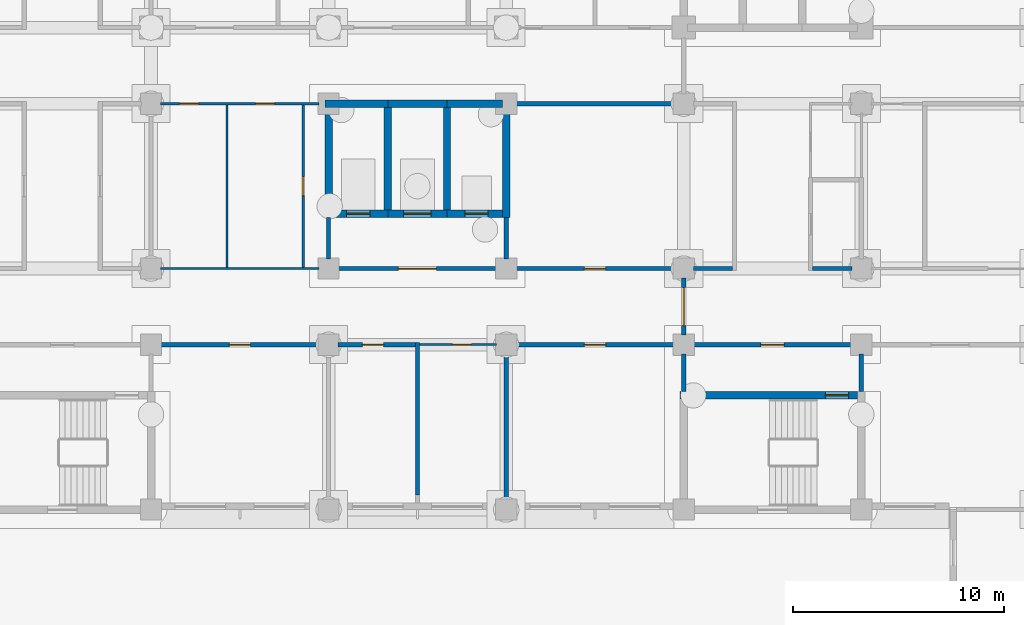
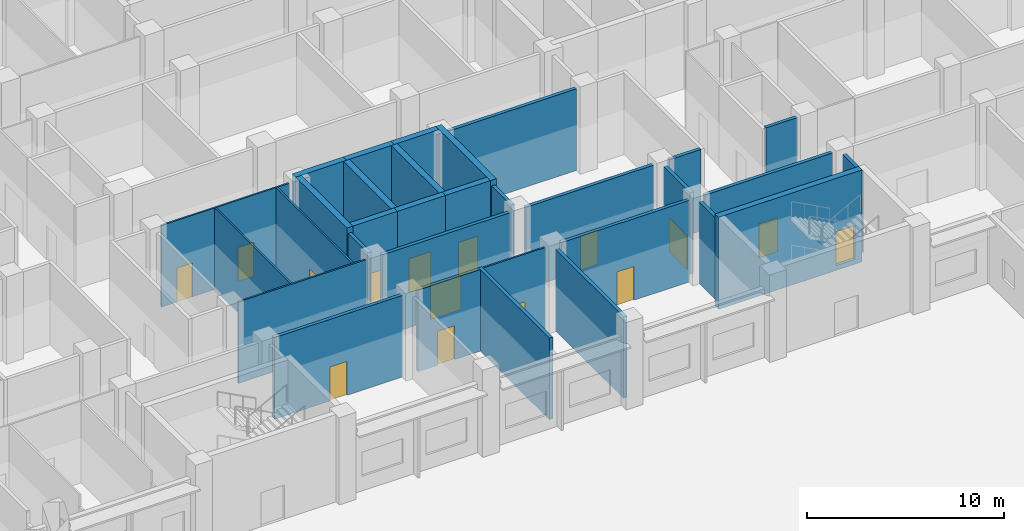
# One storey, part 85 of 146: 32 walls, 15 doors, 15 openings.
"""IFC4 building model written with IfcOpenShell, lengths in metres."""

from ifc_helpers import new_model, si_unit, direction, frame, frame_2d, origin, place, context, subcontext, project, spatial, rectangle, extrude, material, layer, layer_set, type_object, element, fill, save


model = new_model("IFC4")

# Units and contexts
model_context = context("Model", 3, precision=1e-05, world=origin(), true_north=direction((0.0, 1.0)))
body_context = subcontext(model_context, "Body", "Model", "MODEL_VIEW")
ifc_project = project(units=[si_unit("LENGTHUNIT", "METRE"), si_unit("AREAUNIT", "SQUARE_METRE"), si_unit("VOLUMEUNIT", "CUBIC_METRE"), si_unit("PLANEANGLEUNIT", "RADIAN"), si_unit("MASSUNIT", "GRAM", prefix="KILO")], contexts=[model_context])

# Site, building, storey
site_placement = place(None, origin())
site = spatial("IfcSite", under=ifc_project, at=site_placement, CompositionType="ELEMENT")
building_placement = place(site_placement, origin())
building = spatial("IfcBuilding", under=site, at=building_placement, Name="Bougainvillea Quay General Hospital", CompositionType="ELEMENT")
storey_placement = place(building_placement, origin())
storey = spatial("IfcBuildingStorey", under=building, at=storey_placement, Name="L00", CompositionType="ELEMENT", Elevation=0.0)

# Wall, openings, doors
ifc_material_1 = material(Name="Gypsum board partition on steel studs", Category="steel")
ifc_layer_1 = layer(ifc_material_1, 0.10009765625)
ifc_layer_set_1 = layer_set([ifc_layer_1], Name="Gypsum board partition on steel studs")
wall_type_1 = type_object("IfcWallType", Name="Partition 100 Gypsum board partition", PredefinedType="PARTITIONING", material=ifc_layer_set_1)
wall_1_placement = place(storey_placement, frame((133.949951171875, 136.800048828125, 0.0), z_axis=(0.0, 0.0, 1.0), x_axis=(-1.0, 0.0, 0.0)))
wall_1 = element("IfcWall", 1, at=wall_1_placement, inside=storey, type_object=wall_type_1, Name="Partition 100 mm", PredefinedType="PARTITIONING", context=body_context, shape_type="SweptSolid", body=[
    extrude(rectangle(XDim=7.5, YDim=0.10009765625, at=frame_2d((3.75, 0.0))), origin(), (0.0, 0.0, 1.0), 5.050048828125),
])
opening_1_placement = place(wall_1_placement, frame((5.699951171875, 0.0, 0.0)))
opening_1 = element("IfcOpeningElement", 2, at=opening_1_placement, cuts=wall_1, Name="Opening L00.156", PredefinedType="OPENING", context=body_context, shape_type="SweptSolid", body=[
    extrude(rectangle(XDim=0.89990234375, YDim=2.10009765625, at=frame_2d((0.449951171875, 1.050048828125))), frame((0.0, 0.06005859375, 0.0), z_axis=(0.0, -1.0, 0.0), x_axis=(1.0, 0.0, 0.0)), (0.0, 0.0, 1.0), 0.1201171875),
])
opening_2_placement = place(wall_1_placement, frame((2.10009765625, 0.0, 0.0)))
opening_2 = element("IfcOpeningElement", 3, at=opening_2_placement, cuts=wall_1, Name="Opening L00.157", PredefinedType="OPENING", context=body_context, shape_type="SweptSolid", body=[
    extrude(rectangle(XDim=0.89990234375, YDim=2.10009765625, at=frame_2d((0.449951171875, 1.050048828125))), frame((0.0, 0.06005859375, 0.0), z_axis=(0.0, -1.0, 0.0), x_axis=(1.0, 0.0, 0.0)), (0.0, 0.0, 1.0), 0.1201171875),
])
ifc_material_2 = material(Name="Solid-core timber door leaf in steel frame", Category="steel")
door_type_1 = type_object("IfcDoorType", Name="Single leaf door 900x2100", OperationType="NOTDEFINED", PredefinedType="DOOR", material=ifc_material_2)
door_1_placement = place(opening_1_placement, origin())
door_1 = element("IfcDoor", 4, at=door_1_placement, inside=storey, type_object=door_type_1, Name="DT07 L00.156", OperationType="SINGLE_SWING_RIGHT", OverallHeight=2.10009765625, OverallWidth=0.89990234375, PredefinedType="DOOR", context=body_context, shape_type="SweptSolid", body=[
    extrude(rectangle(XDim=0.89990234375, YDim=2.10009765625, at=frame_2d((0.449951171875, 1.050048828125))), frame((0.0, 0.02490234375, 0.0), z_axis=(0.0, -1.0, 0.0), x_axis=(1.0, 0.0, 0.0)), (0.0, 0.0, 1.0), 0.050048828125),
])
fill(opening_1, door_1)
door_2_placement = place(opening_2_placement, origin())
door_2 = element("IfcDoor", 5, at=door_2_placement, inside=storey, type_object=door_type_1, Name="DT07 L00.157", OperationType="SINGLE_SWING_LEFT", OverallHeight=2.10009765625, OverallWidth=0.89990234375, PredefinedType="DOOR", context=body_context, shape_type="SweptSolid", body=[
    extrude(rectangle(XDim=0.89990234375, YDim=2.10009765625, at=frame_2d((0.449951171875, 1.050048828125))), frame((0.0, 0.02490234375, 0.0), z_axis=(0.0, -1.0, 0.0), x_axis=(1.0, 0.0, 0.0)), (0.0, 0.0, 1.0), 0.050048828125),
])
fill(opening_2, door_2)

# Walls
wall_2_placement = place(storey_placement, frame((133.949951171875, 129.0, 0.0), z_axis=(0.0, 0.0, 1.0), x_axis=(-1.0, 0.0, 0.0)))
element("IfcWall", 6, at=wall_2_placement, inside=storey, type_object=wall_type_1, Name="Partition 100 mm", PredefinedType="PARTITIONING", context=body_context, shape_type="SweptSolid", body=[
    extrude(rectangle(XDim=7.5, YDim=0.10009765625, at=frame_2d((3.75, 0.0))), origin(), (0.0, 0.0, 1.0), 5.050048828125),
])
wall_3_placement = place(storey_placement, frame((129.60009765625, 129.050048828125, 0.0), z_axis=(0.0, 0.0, 1.0), x_axis=(0.0, 1.0, 0.0)))
element("IfcWall", 7, at=wall_3_placement, inside=storey, type_object=wall_type_1, Name="Partition 100 mm", PredefinedType="PARTITIONING", context=body_context, shape_type="SweptSolid", body=[
    extrude(rectangle(XDim=7.699951171875, YDim=0.10009765625, at=frame_2d((3.85009765625, 0.0))), origin(), (0.0, 0.0, 1.0), 5.050048828125),
])

# Wall, opening, door
wall_4_placement = place(storey_placement, frame((133.199951171875, 129.050048828125, 0.0), z_axis=(0.0, 0.0, 1.0), x_axis=(0.0, 1.0, 0.0)))
wall_4 = element("IfcWall", 8, at=wall_4_placement, inside=storey, type_object=wall_type_1, Name="Partition 100 mm", PredefinedType="PARTITIONING", context=body_context, shape_type="SweptSolid", body=[
    extrude(rectangle(XDim=7.699951171875, YDim=0.10009765625, at=frame_2d((3.85009765625, 0.0))), origin(), (0.0, 0.0, 1.0), 5.050048828125),
])
opening_3_placement = place(wall_4_placement, frame((3.39990234375, 0.0, 0.0)))
opening_3 = element("IfcOpeningElement", 9, at=opening_3_placement, cuts=wall_4, Name="Opening L00.215", PredefinedType="OPENING", context=body_context, shape_type="SweptSolid", body=[
    extrude(rectangle(XDim=0.89990234375, YDim=2.10009765625, at=frame_2d((0.449951171875, 1.050048828125))), frame((0.0, 0.06005859375, 0.0), z_axis=(0.0, -1.0, 0.0), x_axis=(1.0, 0.0, 0.0)), (0.0, 0.0, 1.0), 0.1201171875),
])
door_3_placement = place(opening_3_placement, frame((0.89990234375, 0.0, 0.0), z_axis=(0.0, 0.0, 1.0), x_axis=(-1.0, 0.0, 0.0)))
door_3 = element("IfcDoor", 10, at=door_3_placement, inside=storey, type_object=door_type_1, Name="DT07 L00.215", OperationType="SINGLE_SWING_RIGHT", OverallHeight=2.10009765625, OverallWidth=0.89990234375, PredefinedType="DOOR", context=body_context, shape_type="SweptSolid", body=[
    extrude(rectangle(XDim=0.89990234375, YDim=2.10009765625, at=frame_2d((0.449951171875, 1.050048828125))), frame((0.0, 0.02490234375, 0.0), z_axis=(0.0, -1.0, 0.0), x_axis=(1.0, 0.0, 0.0)), (0.0, 0.0, 1.0), 0.050048828125),
])
fill(opening_3, door_3)

wall_5_placement = place(storey_placement, frame((138.699951171875, 125.39990234375, 0.0), z_axis=(0.0, 0.0, 1.0), x_axis=(1.0, 0.0, 0.0)))
wall_5 = element("IfcWall", 11, at=wall_5_placement, inside=storey, type_object=wall_type_1, Name="Partition 100 mm", PredefinedType="PARTITIONING", context=body_context, shape_type="SweptSolid", body=[
    extrude(rectangle(XDim=3.650146484375, YDim=0.10009765625, at=frame_2d((1.8251953125, 0.0))), origin(), (0.0, 0.0, 1.0), 5.050048828125),
])
opening_4_placement = place(wall_5_placement, frame((1.550048828125, 0.0, 0.0)))
opening_4 = element("IfcOpeningElement", 12, at=opening_4_placement, cuts=wall_5, Name="Opening L00.154", PredefinedType="OPENING", context=body_context, shape_type="SweptSolid", body=[
    extrude(rectangle(XDim=0.89990234375, YDim=2.10009765625, at=frame_2d((0.449951171875, 1.050048828125))), frame((0.0, 0.06005859375, 0.0), z_axis=(0.0, -1.0, 0.0), x_axis=(1.0, 0.0, 0.0)), (0.0, 0.0, 1.0), 0.1201171875),
])
door_4_placement = place(opening_4_placement, frame((0.89990234375, 0.0, 0.0), z_axis=(0.0, 0.0, 1.0), x_axis=(-1.0, 0.0, 0.0)))
door_4 = element("IfcDoor", 13, at=door_4_placement, inside=storey, type_object=door_type_1, Name="DT07 L00.154", OperationType="SINGLE_SWING_LEFT", OverallHeight=2.10009765625, OverallWidth=0.89990234375, PredefinedType="DOOR", context=body_context, shape_type="SweptSolid", body=[
    extrude(rectangle(XDim=0.89990234375, YDim=2.10009765625, at=frame_2d((0.449951171875, 1.050048828125))), frame((0.0, 0.02490234375, 0.0), z_axis=(0.0, -1.0, 0.0), x_axis=(1.0, 0.0, 0.0)), (0.0, 0.0, 1.0), 0.050048828125),
])
fill(opening_4, door_4)

ifc_material_3 = material(Name="Autoclaved aerated block wall, plastered")
ifc_layer_2 = layer(ifc_material_3, 0.199951171875)
ifc_layer_set_2 = layer_set([ifc_layer_2], Name="Autoclaved aerated block wall, plastered")
wall_type_2 = type_object("IfcWallType", Name="Partition 200 Autoclaved aerated block wall", PredefinedType="SOLIDWALL", material=ifc_layer_set_2)
wall_6_placement = place(storey_placement, frame((126.449951171875, 125.39990234375, 0.0), z_axis=(0.0, 0.0, 1.0), x_axis=(1.0, 0.0, 0.0)))
wall_6 = element("IfcWall", 14, at=wall_6_placement, inside=storey, type_object=wall_type_2, Name="Partition 200 mm", PredefinedType="SOLIDWALL", context=body_context, shape_type="SweptSolid", body=[
    extrude(rectangle(XDim=7.5, YDim=0.199951171875, at=frame_2d((3.75, 0.0))), origin(), (0.0, 0.0, 1.0), 5.050048828125),
])
opening_5_placement = place(wall_6_placement, frame((3.25, 0.0, 0.0)))
opening_5 = element("IfcOpeningElement", 15, at=opening_5_placement, cuts=wall_6, Name="Opening L00.152", PredefinedType="OPENING", context=body_context, shape_type="SweptSolid", body=[
    extrude(rectangle(XDim=1.0, YDim=2.10009765625, at=frame_2d((0.5, 1.050048828125))), frame((0.0, 0.10986328125, 0.0), z_axis=(0.0, -1.0, 0.0), x_axis=(1.0, 0.0, 0.0)), (0.0, 0.0, 1.0), 0.219970703125),
])
door_type_2 = type_object("IfcDoorType", Name="Single leaf door 1000x2100", OperationType="NOTDEFINED", PredefinedType="DOOR", material=ifc_material_2)
door_5_placement = place(opening_5_placement, frame((1.0, 0.0, 0.0), z_axis=(0.0, 0.0, 1.0), x_axis=(-1.0, 0.0, 0.0)))
door_5 = element("IfcDoor", 16, at=door_5_placement, inside=storey, type_object=door_type_2, Name="DT06 L00.152", OperationType="SINGLE_SWING_RIGHT", OverallHeight=2.10009765625, OverallWidth=1.0, PredefinedType="DOOR", context=body_context, shape_type="SweptSolid", body=[
    extrude(rectangle(XDim=1.0, YDim=2.10009765625, at=frame_2d((0.5, 1.050048828125))), frame((0.0, 0.02490234375, 0.0), z_axis=(0.0, -1.0, 0.0), x_axis=(1.0, 0.0, 0.0)), (0.0, 0.0, 1.0), 0.050048828125),
])
fill(opening_5, door_5)

wall_7_placement = place(storey_placement, frame((143.25, 125.39990234375, 0.0), z_axis=(0.0, 0.0, 1.0), x_axis=(1.0, 0.0, 0.0)))
wall_7 = element("IfcWall", 17, at=wall_7_placement, inside=storey, type_object=wall_type_2, Name="Partition 200 mm", PredefinedType="SOLIDWALL", context=body_context, shape_type="SweptSolid", body=[
    extrude(rectangle(XDim=7.5, YDim=0.199951171875, at=frame_2d((3.75, 0.0))), origin(), (0.0, 0.0, 1.0), 5.050048828125),
])
opening_6_placement = place(wall_7_placement, frame((3.25, 0.0, 0.0)))
opening_6 = element("IfcOpeningElement", 18, at=opening_6_placement, cuts=wall_7, Name="Opening L00.155", PredefinedType="OPENING", context=body_context, shape_type="SweptSolid", body=[
    extrude(rectangle(XDim=1.0, YDim=2.10009765625, at=frame_2d((0.5, 1.050048828125))), frame((0.0, 0.10986328125, 0.0), z_axis=(0.0, -1.0, 0.0), x_axis=(1.0, 0.0, 0.0)), (0.0, 0.0, 1.0), 0.219970703125),
])
door_6_placement = place(opening_6_placement, frame((1.0, 0.0, 0.0), z_axis=(0.0, 0.0, 1.0), x_axis=(-1.0, 0.0, 0.0)))
door_6 = element("IfcDoor", 19, at=door_6_placement, inside=storey, type_object=door_type_2, Name="DT06 L00.155", OperationType="SINGLE_SWING_RIGHT", OverallHeight=2.10009765625, OverallWidth=1.0, PredefinedType="DOOR", context=body_context, shape_type="SweptSolid", body=[
    extrude(rectangle(XDim=1.0, YDim=2.10009765625, at=frame_2d((0.5, 1.050048828125))), frame((0.0, 0.02490234375, 0.0), z_axis=(0.0, -1.0, 0.0), x_axis=(1.0, 0.0, 0.0)), (0.0, 0.0, 1.0), 0.050048828125),
])
fill(opening_6, door_6)

wall_8_placement = place(storey_placement, frame((143.25, 129.0, 0.0), z_axis=(0.0, 0.0, 1.0), x_axis=(1.0, 0.0, 0.0)))
wall_8 = element("IfcWall", 20, at=wall_8_placement, inside=storey, type_object=wall_type_2, Name="Partition 200 mm", PredefinedType="SOLIDWALL", context=body_context, shape_type="SweptSolid", body=[
    extrude(rectangle(XDim=7.5, YDim=0.199951171875, at=frame_2d((3.75, 0.0))), origin(), (0.0, 0.0, 1.0), 5.050048828125),
])
opening_7_placement = place(wall_8_placement, frame((3.25, 0.0, 0.0)))
opening_7 = element("IfcOpeningElement", 21, at=opening_7_placement, cuts=wall_8, Name="Opening L00.158", PredefinedType="OPENING", context=body_context, shape_type="SweptSolid", body=[
    extrude(rectangle(XDim=1.0, YDim=2.10009765625, at=frame_2d((0.5, 1.050048828125))), frame((0.0, 0.10986328125, 0.0), z_axis=(0.0, -1.0, 0.0), x_axis=(1.0, 0.0, 0.0)), (0.0, 0.0, 1.0), 0.219970703125),
])
door_7_placement = place(opening_7_placement, origin())
door_7 = element("IfcDoor", 22, at=door_7_placement, inside=storey, type_object=door_type_2, Name="DT06 L00.158", OperationType="SINGLE_SWING_LEFT", OverallHeight=2.10009765625, OverallWidth=1.0, PredefinedType="DOOR", context=body_context, shape_type="SweptSolid", body=[
    extrude(rectangle(XDim=1.0, YDim=2.10009765625, at=frame_2d((0.5, 1.050048828125))), frame((0.0, 0.02490234375, 0.0), z_axis=(0.0, -1.0, 0.0), x_axis=(1.0, 0.0, 0.0)), (0.0, 0.0, 1.0), 0.050048828125),
])
fill(opening_7, door_7)

# Walls
wall_9_placement = place(storey_placement, frame((143.25, 136.800048828125, 0.0), z_axis=(0.0, 0.0, 1.0), x_axis=(1.0, 0.0, 0.0)))
element("IfcWall", 23, at=wall_9_placement, inside=storey, type_object=wall_type_2, Name="Partition 200 mm", PredefinedType="SOLIDWALL", context=body_context, shape_type="SweptSolid", body=[
    extrude(rectangle(XDim=7.5, YDim=0.199951171875, at=frame_2d((3.75, 0.0))), origin(), (0.0, 0.0, 1.0), 5.050048828125),
])
wall_10_placement = place(storey_placement, frame((142.800048828125, 118.050048828125, 0.0), z_axis=(0.0, 0.0, 1.0), x_axis=(0.0, 1.0, 0.0)))
element("IfcWall", 24, at=wall_10_placement, inside=storey, type_object=wall_type_2, Name="Partition 200 mm", PredefinedType="SOLIDWALL", context=body_context, shape_type="SweptSolid", body=[
    extrude(rectangle(XDim=6.89990234375, YDim=0.199951171875, at=frame_2d((3.449951171875, 0.0))), origin(), (0.0, 0.0, 1.0), 5.050048828125),
])

# Wall, opening, door
ifc_material_4 = material(Name="Fire-rated autoclaved aerated block wall, plastered")
ifc_layer_3 = layer(ifc_material_4, 0.199951171875)
ifc_layer_set_3 = layer_set([ifc_layer_3], Name="Fire-rated autoclaved aerated block wall, plastered")
wall_type_3 = type_object("IfcWallType", Name="Partition 200 Fire-rated autoclaved aerated block wall EI 120", PredefinedType="SOLIDWALL", material=ifc_layer_set_3)
wall_11_placement = place(storey_placement, frame((134.85009765625, 129.0, 0.0), z_axis=(0.0, 0.0, 1.0), x_axis=(1.0, 0.0, 0.0)))
wall_11 = element("IfcWall", 25, at=wall_11_placement, inside=storey, type_object=wall_type_3, Name="Partition 200 mm EI 120", PredefinedType="SOLIDWALL", context=body_context, shape_type="SweptSolid", body=[
    extrude(rectangle(XDim=7.5, YDim=0.199951171875, at=frame_2d((3.75, 0.0))), origin(), (0.0, 0.0, 1.0), 5.050048828125),
])
opening_8_placement = place(wall_11_placement, frame((2.85009765625, 0.0, 0.0)))
opening_8 = element("IfcOpeningElement", 26, at=opening_8_placement, cuts=wall_11, Name="Opening L00.050", PredefinedType="OPENING", context=body_context, shape_type="SweptSolid", body=[
    extrude(rectangle(XDim=1.800048828125, YDim=2.10009765625, at=frame_2d((0.89990234375, 1.050048828125))), frame((0.0, 0.10986328125, 0.0), z_axis=(0.0, -1.0, 0.0), x_axis=(1.0, 0.0, 0.0)), (0.0, 0.0, 1.0), 0.219970703125),
])
ifc_material_5 = material(Name="Steel fire door leaves in steel frame", Category="steel")
door_type_3 = type_object("IfcDoorType", Name="Steel double leaf door 1800x2100 FD60", OperationType="DOUBLE_DOOR_SINGLE_SWING", PredefinedType="DOOR", material=ifc_material_5)
door_8_placement = place(opening_8_placement, origin())
door_8 = element("IfcDoor", 27, at=door_8_placement, inside=storey, type_object=door_type_3, Name="DT05 L00.050", OperationType="DOUBLE_DOOR_SINGLE_SWING", OverallHeight=2.10009765625, OverallWidth=1.800048828125, PredefinedType="DOOR", context=body_context, shape_type="SweptSolid", body=[
    extrude(rectangle(XDim=1.800048828125, YDim=2.10009765625, at=frame_2d((0.89990234375, 1.050048828125))), frame((0.0, 0.02490234375, 0.0), z_axis=(0.0, -1.0, 0.0), x_axis=(1.0, 0.0, 0.0)), (0.0, 0.0, 1.0), 0.050048828125),
])
fill(opening_8, door_8)

# Wall
wall_12_placement = place(storey_placement, frame((151.199951171875, 123.175048828125, 0.0), z_axis=(0.0, 0.0, 1.0), x_axis=(0.0, 1.0, 0.0)))
element("IfcWall", 28, at=wall_12_placement, inside=storey, type_object=wall_type_3, Name="Partition 200 mm EI 120", PredefinedType="SOLIDWALL", context=body_context, shape_type="SweptSolid", body=[
    extrude(rectangle(XDim=1.77490234375, YDim=0.199951171875, at=frame_2d((0.887451171875, 0.0))), origin(), (0.0, 0.0, 1.0), 5.050048828125),
])

# Wall, opening, door
wall_13_placement = place(storey_placement, frame((151.199951171875, 125.85009765625, 0.0), z_axis=(0.0, 0.0, 1.0), x_axis=(0.0, 1.0, 0.0)))
wall_13 = element("IfcWall", 29, at=wall_13_placement, inside=storey, type_object=wall_type_3, Name="Partition 200 mm EI 120", PredefinedType="SOLIDWALL", context=body_context, shape_type="SweptSolid", body=[
    extrude(rectangle(XDim=2.699951171875, YDim=0.199951171875, at=frame_2d((1.35009765625, 0.0))), origin(), (0.0, 0.0, 1.0), 5.050048828125),
])
opening_9_placement = place(wall_13_placement, frame((0.449951171875, 0.0, 0.0)))
opening_9 = element("IfcOpeningElement", 30, at=opening_9_placement, cuts=wall_13, Name="Opening L00.017", PredefinedType="OPENING", context=body_context, shape_type="SweptSolid", body=[
    extrude(rectangle(XDim=1.800048828125, YDim=2.10009765625, at=frame_2d((0.89990234375, 1.050048828125))), frame((0.0, 0.10986328125, 0.0), z_axis=(0.0, -1.0, 0.0), x_axis=(1.0, 0.0, 0.0)), (0.0, 0.0, 1.0), 0.219970703125),
])
door_type_4 = type_object("IfcDoorType", Name="Steel double leaf door 1800x2100 FD90", OperationType="DOUBLE_DOOR_SINGLE_SWING", PredefinedType="DOOR", material=ifc_material_5)
door_9_placement = place(opening_9_placement, origin())
door_9 = element("IfcDoor", 31, at=door_9_placement, inside=storey, type_object=door_type_4, Name="DT03 L00.017", OperationType="DOUBLE_DOOR_SINGLE_SWING", OverallHeight=2.10009765625, OverallWidth=1.800048828125, PredefinedType="DOOR", context=body_context, shape_type="SweptSolid", body=[
    extrude(rectangle(XDim=1.800048828125, YDim=2.10009765625, at=frame_2d((0.89990234375, 1.050048828125))), frame((0.0, 0.02490234375, 0.0), z_axis=(0.0, -1.0, 0.0), x_axis=(1.0, 0.0, 0.0)), (0.0, 0.0, 1.0), 0.050048828125),
])
fill(opening_9, door_9)

wall_14_placement = place(storey_placement, frame((151.64990234375, 125.39990234375, 0.0), z_axis=(0.0, 0.0, 1.0), x_axis=(1.0, 0.0, 0.0)))
wall_14 = element("IfcWall", 32, at=wall_14_placement, inside=storey, type_object=wall_type_3, Name="Partition 200 mm EI 120", PredefinedType="SOLIDWALL", context=body_context, shape_type="SweptSolid", body=[
    extrude(rectangle(XDim=7.5, YDim=0.199951171875, at=frame_2d((3.75, 0.0))), origin(), (0.0, 0.0, 1.0), 5.050048828125),
])
opening_10_placement = place(wall_14_placement, frame((3.199951171875, 0.0, 0.0)))
opening_10 = element("IfcOpeningElement", 33, at=opening_10_placement, cuts=wall_14, Name="Opening L00.042", PredefinedType="OPENING", context=body_context, shape_type="SweptSolid", body=[
    extrude(rectangle(XDim=1.10009765625, YDim=2.10009765625, at=frame_2d((0.550048828125, 1.050048828125))), frame((0.0, 0.10986328125, 0.0), z_axis=(0.0, -1.0, 0.0), x_axis=(1.0, 0.0, 0.0)), (0.0, 0.0, 1.0), 0.219970703125),
])
ifc_material_6 = material(Name="Steel fire door leaf in steel frame", Category="steel")
door_type_5 = type_object("IfcDoorType", Name="Steel single leaf door 1100x2100 FD60", OperationType="NOTDEFINED", PredefinedType="DOOR", material=ifc_material_6)
door_10_placement = place(opening_10_placement, frame((1.10009765625, 0.0, 0.0), z_axis=(0.0, 0.0, 1.0), x_axis=(-1.0, 0.0, 0.0)))
door_10 = element("IfcDoor", 34, at=door_10_placement, inside=storey, type_object=door_type_5, Name="DT04 L00.042", OperationType="SINGLE_SWING_LEFT", OverallHeight=2.10009765625, OverallWidth=1.10009765625, PredefinedType="DOOR", context=body_context, shape_type="SweptSolid", body=[
    extrude(rectangle(XDim=1.10009765625, YDim=2.10009765625, at=frame_2d((0.550048828125, 1.050048828125))), frame((0.0, 0.02490234375, 0.0), z_axis=(0.0, -1.0, 0.0), x_axis=(1.0, 0.0, 0.0)), (0.0, 0.0, 1.0), 0.050048828125),
])
fill(opening_10, door_10)

# Wall
wall_15_placement = place(storey_placement, frame((138.60009765625, 118.300048828125, 0.0), z_axis=(0.0, 0.0, 1.0), x_axis=(0.0, 1.0, 0.0)))
element("IfcWall", 35, at=wall_15_placement, inside=storey, type_object=wall_type_3, Name="Partition 200 mm EI 120", PredefinedType="SOLIDWALL", context=body_context, shape_type="SweptSolid", body=[
    extrude(rectangle(XDim=7.199951171875, YDim=0.199951171875, at=frame_2d((3.60009765625, 0.0))), origin(), (0.0, 0.0, 1.0), 5.050048828125),
])

# Wall, opening, door
wall_16_placement = place(storey_placement, frame((134.85009765625, 125.39990234375, 0.0), z_axis=(0.0, 0.0, 1.0), x_axis=(1.0, 0.0, 0.0)))
wall_16 = element("IfcWall", 36, at=wall_16_placement, inside=storey, type_object=wall_type_3, Name="Partition 200 mm EI 120", PredefinedType="SOLIDWALL", context=body_context, shape_type="SweptSolid", body=[
    extrude(rectangle(XDim=3.64990234375, YDim=0.199951171875, at=frame_2d((1.824951171875, 0.0))), origin(), (0.0, 0.0, 1.0), 5.050048828125),
])
opening_11_placement = place(wall_16_placement, frame((1.14990234375, 0.0, 0.0)))
opening_11 = element("IfcOpeningElement", 37, at=opening_11_placement, cuts=wall_16, Name="Opening L00.153", PredefinedType="OPENING", context=body_context, shape_type="SweptSolid", body=[
    extrude(rectangle(XDim=1.0, YDim=2.10009765625, at=frame_2d((0.5, 1.050048828125))), frame((0.0, 0.10986328125, 0.0), z_axis=(0.0, -1.0, 0.0), x_axis=(1.0, 0.0, 0.0)), (0.0, 0.0, 1.0), 0.219970703125),
])
door_type_6 = type_object("IfcDoorType", Name="Steel single leaf door 1000x2100 FD90", OperationType="NOTDEFINED", PredefinedType="DOOR", material=ifc_material_6)
door_11_placement = place(opening_11_placement, frame((1.0, 0.0, 0.0), z_axis=(0.0, 0.0, 1.0), x_axis=(-1.0, 0.0, 0.0)))
door_11 = element("IfcDoor", 38, at=door_11_placement, inside=storey, type_object=door_type_6, Name="DT11 L00.153", OperationType="SINGLE_SWING_RIGHT", OverallHeight=2.10009765625, OverallWidth=1.0, PredefinedType="DOOR", context=body_context, shape_type="SweptSolid", body=[
    extrude(rectangle(XDim=1.0, YDim=2.10009765625, at=frame_2d((0.5, 1.050048828125))), frame((0.0, 0.02490234375, 0.0), z_axis=(0.0, -1.0, 0.0), x_axis=(1.0, 0.0, 0.0)), (0.0, 0.0, 1.0), 0.050048828125),
])
fill(opening_11, door_11)

# Walls
for number, where, z_axis, x_axis, name in (
    (39, (134.39990234375, 129.449951171875, 0.0), (0.0, 0.0, 1.0), (0.0, 1.0, 0.0), "Partition 200 mm EI 120"),
    (40, (142.800048828125, 129.449951171875, 0.0), (0.0, 0.0, 1.0), (0.0, 1.0, 0.0), "Partition 200 mm EI 120"),
):
    element("IfcWall", number, at=place(storey_placement, frame(where, z_axis=z_axis, x_axis=x_axis)), inside=storey, type_object=wall_type_3, Name=name, PredefinedType="SOLIDWALL", context=body_context, shape_type="SweptSolid", body=[
        extrude(rectangle(XDim=1.97509765625, YDim=0.199951171875, at=frame_2d((0.987548828125, 0.0))), origin(), (0.0, 0.0, 1.0), 5.050048828125),
    ])
wall_17_placement = place(storey_placement, frame((151.64990234375, 129.0, 0.0), z_axis=(0.0, 0.0, 1.0), x_axis=(1.0, 0.0, 0.0)))
element("IfcWall", 41, at=wall_17_placement, inside=storey, type_object=wall_type_3, Name="Partition 200 mm EI 120", PredefinedType="SOLIDWALL", context=body_context, shape_type="SweptSolid", body=[
    extrude(rectangle(XDim=1.85009765625, YDim=0.199951171875, at=frame_2d((0.925048828125, 0.0))), origin(), (0.0, 0.0, 1.0), 5.050048828125),
])
wall_18_placement = place(storey_placement, frame((157.300048828125, 129.0, 0.0), z_axis=(0.0, 0.0, 1.0), x_axis=(1.0, 0.0, 0.0)))
element("IfcWall", 42, at=wall_18_placement, inside=storey, type_object=wall_type_3, Name="Partition 200 mm EI 120", PredefinedType="SOLIDWALL", context=body_context, shape_type="SweptSolid", body=[
    extrude(rectangle(XDim=1.849853515625, YDim=0.199951171875, at=frame_2d((0.9248046875, 0.0))), origin(), (0.0, 0.0, 1.0), 5.050048828125),
])
wall_19_placement = place(storey_placement, frame((159.60009765625, 123.175048828125, 0.0), z_axis=(0.0, 0.0, 1.0), x_axis=(0.0, 1.0, 0.0)))
element("IfcWall", 43, at=wall_19_placement, inside=storey, type_object=wall_type_3, Name="Partition 200 mm EI 120", PredefinedType="SOLIDWALL", context=body_context, shape_type="SweptSolid", body=[
    extrude(rectangle(XDim=1.77490234375, YDim=0.199951171875, at=frame_2d((0.887451171875, 0.0))), origin(), (0.0, 0.0, 1.0), 5.050048828125),
])
ifc_material_7 = material(Name="Concrete C40", Category="concrete")
ifc_layer_4 = layer(ifc_material_7, 0.35009765625)
ifc_layer_set_4 = layer_set([ifc_layer_4], Name="Concrete C40")
wall_type_4 = type_object("IfcWallType", Name="RC SHEAR WALL 350 C40", PredefinedType="SHEAR", material=ifc_layer_set_4)
wall_20_placement = place(storey_placement, frame((134.22509765625, 136.800048828125, -0.300048828125), z_axis=(0.0, 0.0, 1.0), x_axis=(1.0, 0.0, 0.0)))
element("IfcWall", 44, at=wall_20_placement, inside=storey, type_object=wall_type_4, Name="Shear wall L00", PredefinedType="SHEAR", context=body_context, shape_type="SweptSolid", body=[
    extrude(rectangle(XDim=2.974853515625, YDim=0.35009765625, at=frame_2d((1.4873046875, 0.0))), origin(), (0.0, 0.0, 1.0), 5.699951171875),
])
wall_21_placement = place(storey_placement, frame((134.39990234375, 131.425048828125, -0.300048828125), z_axis=(0.0, 0.0, 1.0), x_axis=(0.0, 1.0, 0.0)))
element("IfcWall", 45, at=wall_21_placement, inside=storey, type_object=wall_type_4, Name="Shear wall L00", PredefinedType="SHEAR", context=body_context, shape_type="SweptSolid", body=[
    extrude(rectangle(XDim=5.199951171875, YDim=0.35009765625, at=frame_2d((2.60009765625, 0.0))), origin(), (0.0, 0.0, 1.0), 5.699951171875),
])

# Wall, opening, door
wall_22_placement = place(storey_placement, frame((134.574951171875, 131.60009765625, -0.300048828125), z_axis=(0.0, 0.0, 1.0), x_axis=(1.0, 0.0, 0.0)))
wall_22 = element("IfcWall", 46, at=wall_22_placement, inside=storey, type_object=wall_type_4, Name="Shear wall L00", PredefinedType="SHEAR", context=body_context, shape_type="SweptSolid", body=[
    extrude(rectangle(XDim=2.625, YDim=0.35009765625, at=frame_2d((1.3125, 0.0))), origin(), (0.0, 0.0, 1.0), 5.699951171875),
])
opening_12_placement = place(wall_22_placement, frame((0.675048828125, 0.0, 0.300048828125)))
opening_12 = element("IfcOpeningElement", 47, at=opening_12_placement, cuts=wall_22, Name="Opening LD-B2.1-L00", PredefinedType="OPENING", context=body_context, shape_type="SweptSolid", body=[
    extrude(rectangle(XDim=1.10009765625, YDim=2.10009765625, at=frame_2d((0.550048828125, 1.050048828125))), frame((0.0, 0.18505859375, 0.0), z_axis=(0.0, -1.0, 0.0), x_axis=(1.0, 0.0, 0.0)), (0.0, 0.0, 1.0), 0.3701171875),
])
ifc_material_8 = material(Name="Stainless steel centre-opening landing door", Category="steel")
door_type_7 = type_object("IfcDoorType", Name="Lift landing door 1100x2100 E 120", OperationType="DOUBLE_DOOR_SLIDING", PredefinedType="DOOR", material=ifc_material_8)
door_12_placement = place(opening_12_placement, origin())
door_12 = element("IfcDoor", 48, at=door_12_placement, inside=storey, type_object=door_type_7, Name="Lift landing door LB-B2-1 L00", OperationType="DOUBLE_DOOR_SLIDING", OverallHeight=2.10009765625, OverallWidth=1.10009765625, PredefinedType="DOOR", context=body_context, shape_type="SweptSolid", body=[
    extrude(rectangle(XDim=1.10009765625, YDim=2.10009765625, at=frame_2d((0.550048828125, 1.050048828125))), frame((0.0, 0.02490234375, 0.0), z_axis=(0.0, -1.0, 0.0), x_axis=(1.0, 0.0, 0.0)), (0.0, 0.0, 1.0), 0.050048828125),
])
fill(opening_12, door_12)

wall_23_placement = place(storey_placement, frame((137.199951171875, 131.60009765625, -0.300048828125), z_axis=(0.0, 0.0, 1.0), x_axis=(1.0, 0.0, 0.0)))
wall_23 = element("IfcWall", 49, at=wall_23_placement, inside=storey, type_object=wall_type_4, Name="Shear wall L00", PredefinedType="SHEAR", context=body_context, shape_type="SweptSolid", body=[
    extrude(rectangle(XDim=2.800048828125, YDim=0.35009765625, at=frame_2d((1.39990234375, 0.0))), origin(), (0.0, 0.0, 1.0), 5.699951171875),
])
opening_13_placement = place(wall_23_placement, frame((0.75, 0.0, 0.300048828125)))
opening_13 = element("IfcOpeningElement", 50, at=opening_13_placement, cuts=wall_23, Name="Opening LD-B2.2-L00", PredefinedType="OPENING", context=body_context, shape_type="SweptSolid", body=[
    extrude(rectangle(XDim=1.300048828125, YDim=2.10009765625, at=frame_2d((0.64990234375, 1.050048828125))), frame((0.0, 0.18505859375, 0.0), z_axis=(0.0, -1.0, 0.0), x_axis=(1.0, 0.0, 0.0)), (0.0, 0.0, 1.0), 0.3701171875),
])
door_type_8 = type_object("IfcDoorType", Name="Lift landing door 1300x2100 E 120", OperationType="DOUBLE_DOOR_SLIDING", PredefinedType="DOOR", material=ifc_material_8)
door_13_placement = place(opening_13_placement, origin())
door_13 = element("IfcDoor", 51, at=door_13_placement, inside=storey, type_object=door_type_8, Name="Lift landing door LB-B2-2 L00", OperationType="DOUBLE_DOOR_SLIDING", OverallHeight=2.10009765625, OverallWidth=1.300048828125, PredefinedType="DOOR", context=body_context, shape_type="SweptSolid", body=[
    extrude(rectangle(XDim=1.300048828125, YDim=2.10009765625, at=frame_2d((0.64990234375, 1.050048828125))), frame((0.0, 0.02490234375, 0.0), z_axis=(0.0, -1.0, 0.0), x_axis=(1.0, 0.0, 0.0)), (0.0, 0.0, 1.0), 0.050048828125),
])
fill(opening_13, door_13)

# Walls
wall_24_placement = place(storey_placement, frame((137.199951171875, 131.77490234375, -0.300048828125), z_axis=(0.0, 0.0, 1.0), x_axis=(0.0, 1.0, 0.0)))
element("IfcWall", 52, at=wall_24_placement, inside=storey, type_object=wall_type_4, Name="Shear wall L00", PredefinedType="SHEAR", context=body_context, shape_type="SweptSolid", body=[
    extrude(rectangle(XDim=4.85009765625, YDim=0.35009765625, at=frame_2d((2.425048828125, 0.0))), origin(), (0.0, 0.0, 1.0), 5.699951171875),
])
wall_25_placement = place(storey_placement, frame((137.199951171875, 136.800048828125, -0.300048828125), z_axis=(0.0, 0.0, 1.0), x_axis=(1.0, 0.0, 0.0)))
element("IfcWall", 53, at=wall_25_placement, inside=storey, type_object=wall_type_4, Name="Shear wall L00", PredefinedType="SHEAR", context=body_context, shape_type="SweptSolid", body=[
    extrude(rectangle(XDim=2.800048828125, YDim=0.35009765625, at=frame_2d((1.39990234375, 0.0))), origin(), (0.0, 0.0, 1.0), 5.699951171875),
])

# Wall, opening, door
wall_26_placement = place(storey_placement, frame((140.0, 131.60009765625, -0.300048828125), z_axis=(0.0, 0.0, 1.0), x_axis=(1.0, 0.0, 0.0)))
wall_26 = element("IfcWall", 54, at=wall_26_placement, inside=storey, type_object=wall_type_4, Name="Shear wall L00", PredefinedType="SHEAR", context=body_context, shape_type="SweptSolid", body=[
    extrude(rectangle(XDim=2.625, YDim=0.35009765625, at=frame_2d((1.3125, 0.0))), origin(), (0.0, 0.0, 1.0), 5.699951171875),
])
opening_14_placement = place(wall_26_placement, frame((0.85009765625, 0.0, 0.300048828125)))
opening_14 = element("IfcOpeningElement", 55, at=opening_14_placement, cuts=wall_26, Name="Opening LD-B2.3-L00", PredefinedType="OPENING", context=body_context, shape_type="SweptSolid", body=[
    extrude(rectangle(XDim=1.10009765625, YDim=2.10009765625, at=frame_2d((0.550048828125, 1.050048828125))), frame((0.0, 0.18505859375, 0.0), z_axis=(0.0, -1.0, 0.0), x_axis=(1.0, 0.0, 0.0)), (0.0, 0.0, 1.0), 0.3701171875),
])
door_14_placement = place(opening_14_placement, origin())
door_14 = element("IfcDoor", 56, at=door_14_placement, inside=storey, type_object=door_type_7, Name="Lift landing door LB-B2-3 L00", OperationType="DOUBLE_DOOR_SLIDING", OverallHeight=2.10009765625, OverallWidth=1.10009765625, PredefinedType="DOOR", context=body_context, shape_type="SweptSolid", body=[
    extrude(rectangle(XDim=1.10009765625, YDim=2.10009765625, at=frame_2d((0.550048828125, 1.050048828125))), frame((0.0, 0.02490234375, 0.0), z_axis=(0.0, -1.0, 0.0), x_axis=(1.0, 0.0, 0.0)), (0.0, 0.0, 1.0), 0.050048828125),
])
fill(opening_14, door_14)

# Walls
wall_27_placement = place(storey_placement, frame((140.0, 131.77490234375, -0.300048828125), z_axis=(0.0, 0.0, 1.0), x_axis=(0.0, 1.0, 0.0)))
element("IfcWall", 57, at=wall_27_placement, inside=storey, type_object=wall_type_4, Name="Shear wall L00", PredefinedType="SHEAR", context=body_context, shape_type="SweptSolid", body=[
    extrude(rectangle(XDim=4.85009765625, YDim=0.35009765625, at=frame_2d((2.425048828125, 0.0))), origin(), (0.0, 0.0, 1.0), 5.699951171875),
])
wall_28_placement = place(storey_placement, frame((140.0, 136.800048828125, -0.300048828125), z_axis=(0.0, 0.0, 1.0), x_axis=(1.0, 0.0, 0.0)))
element("IfcWall", 58, at=wall_28_placement, inside=storey, type_object=wall_type_4, Name="Shear wall L00", PredefinedType="SHEAR", context=body_context, shape_type="SweptSolid", body=[
    extrude(rectangle(XDim=2.625, YDim=0.35009765625, at=frame_2d((1.3125, 0.0))), origin(), (0.0, 0.0, 1.0), 5.699951171875),
])
wall_29_placement = place(storey_placement, frame((142.800048828125, 131.425048828125, -0.300048828125), z_axis=(0.0, 0.0, 1.0), x_axis=(0.0, 1.0, 0.0)))
element("IfcWall", 59, at=wall_29_placement, inside=storey, type_object=wall_type_4, Name="Shear wall L00", PredefinedType="SHEAR", context=body_context, shape_type="SweptSolid", body=[
    extrude(rectangle(XDim=5.550048828125, YDim=0.35009765625, at=frame_2d((2.77490234375, 0.0))), origin(), (0.0, 0.0, 1.0), 5.699951171875),
])

# Wall, opening, door
wall_30_placement = place(storey_placement, frame((151.02490234375, 123.0, -0.300048828125), z_axis=(0.0, 0.0, 1.0), x_axis=(1.0, 0.0, 0.0)))
wall_30 = element("IfcWall", 60, at=wall_30_placement, inside=storey, type_object=wall_type_4, Name="Shear wall L00", PredefinedType="SHEAR", context=body_context, shape_type="SweptSolid", body=[
    extrude(rectangle(XDim=8.400146484375, YDim=0.35009765625, at=frame_2d((4.2001953125, 0.0))), origin(), (0.0, 0.0, 1.0), 5.699951171875),
])
opening_15_placement = place(wall_30_placement, frame((6.875, 0.0, 0.300048828125)))
opening_15 = element("IfcOpeningElement", 61, at=opening_15_placement, cuts=wall_30, Name="Opening L00.026", PredefinedType="OPENING", context=body_context, shape_type="SweptSolid", body=[
    extrude(rectangle(XDim=1.10009765625, YDim=2.10009765625, at=frame_2d((0.550048828125, 1.050048828125))), frame((0.0, 0.18505859375, 0.0), z_axis=(0.0, -1.0, 0.0), x_axis=(1.0, 0.0, 0.0)), (0.0, 0.0, 1.0), 0.3701171875),
])
door_15_placement = place(opening_15_placement, frame((1.10009765625, 0.0, 0.0), z_axis=(0.0, 0.0, 1.0), x_axis=(-1.0, 0.0, 0.0)))
door_15 = element("IfcDoor", 62, at=door_15_placement, inside=storey, type_object=door_type_5, Name="DT04 L00.026", OperationType="SINGLE_SWING_LEFT", OverallHeight=2.10009765625, OverallWidth=1.10009765625, PredefinedType="DOOR", context=body_context, shape_type="SweptSolid", body=[
    extrude(rectangle(XDim=1.10009765625, YDim=2.10009765625, at=frame_2d((0.550048828125, 1.050048828125))), frame((0.0, 0.02490234375, 0.0), z_axis=(0.0, -1.0, 0.0), x_axis=(1.0, 0.0, 0.0)), (0.0, 0.0, 1.0), 0.050048828125),
])
fill(opening_15, door_15)

save(model, "model.ifc")
